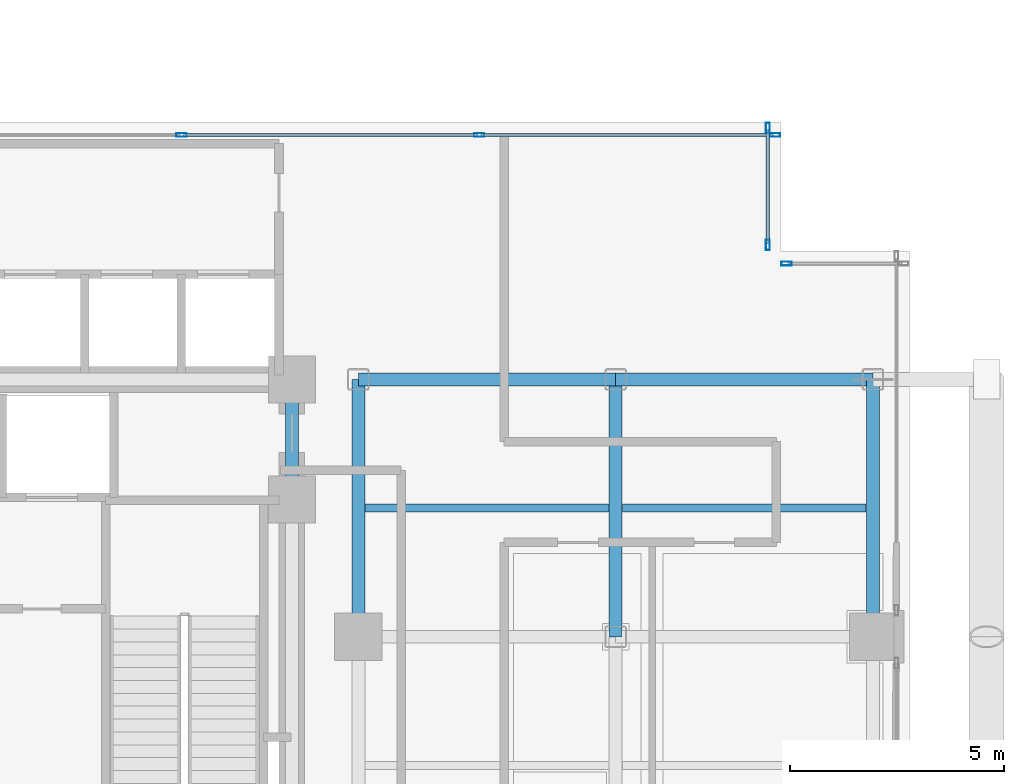
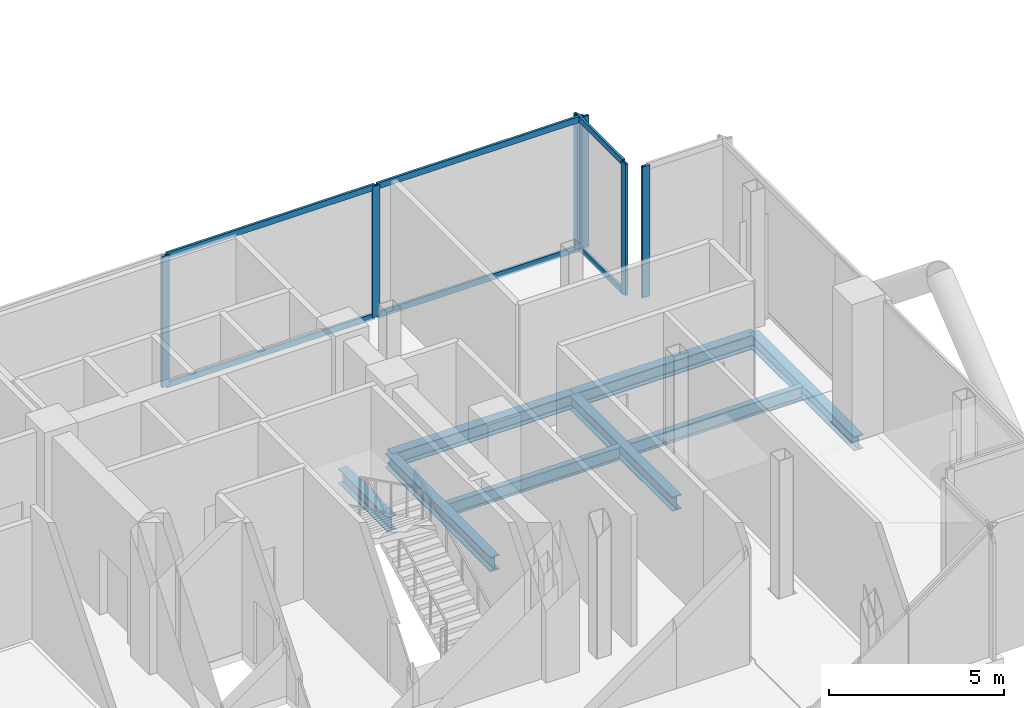
# One storey, part 10 of 25: 12 members, 8 beams, 3 elements without a shape of their own.
"""IFC4 building model written with IfcOpenShell, lengths in metres."""

from ifc_helpers import new_model, si_unit, direction, frame, origin, origin_2d, place, context, subcontext, project, spatial, hollow_rectangle, i_section, extrude, material, layer, layer_set, material_profile, profile_set, type_object, element, aggregate, save


model = new_model("IFC4")

# Units and contexts
model_context = context("Model", 3, precision=1e-05, world=origin(), true_north=direction((0.0, 1.0)))
body_context = subcontext(model_context, "Body", "Model", "MODEL_VIEW")
ifc_project = project(units=[si_unit("LENGTHUNIT", "METRE"), si_unit("AREAUNIT", "SQUARE_METRE"), si_unit("VOLUMEUNIT", "CUBIC_METRE"), si_unit("PLANEANGLEUNIT", "RADIAN"), si_unit("MASSUNIT", "GRAM", prefix="KILO"), si_unit("THERMODYNAMICTEMPERATUREUNIT", "KELVIN"), si_unit("POWERUNIT", "WATT")], contexts=[model_context])

# Site, building, storey
site_placement = place(None, origin())
site = spatial("IfcSite", under=ifc_project, at=site_placement, CompositionType="ELEMENT")
building_placement = place(site_placement, origin())
building = spatial("IfcBuilding", under=site, at=building_placement, Name="Svarakhadi Broadcast Tower", CompositionType="ELEMENT")
storey_placement = place(building_placement, frame((0.0, 0.0, 110.85009765625)))
storey = spatial("IfcBuildingStorey", under=building, at=storey_placement, Name="L26", CompositionType="ELEMENT", Elevation=110.85009765625)

# Beams
ifc_material_1 = material(Name="Steel S355J2 (IS 2062 E350C)", Category="steel")
ifc_material_profile_1 = material_profile(ifc_material_1, i_section(OverallWidth=0.18994140625, OverallDepth=0.449951171875, WebThickness=0.009521484375, FlangeThickness=0.0146484375, FilletRadius=0.02099609375, at=origin_2d()), Name="NPB 450x190x78")
ifc_profile_set_1 = profile_set([ifc_material_profile_1], Name="Steel S355J2 (IS 2062 E350C)")
beam_type_1 = type_object("IfcBeamType", Name="Beam_NPB450", PredefinedType="BEAM", material=ifc_profile_set_1)
for number, where, z_axis, x_axis, name in (
    (1, (35.31005859375, 15.0, -0.5), (1.0, 0.0, 0.0), (0.0, 1.0, 0.0), "L26 Secondary Composite Beam SB021"),
    (2, (41.31005859375, 15.0, -0.5), (1.0, 0.0, 0.0), (0.0, 1.0, 0.0), "L26 Secondary Composite Beam SB023"),
):
    element("IfcBeam", number, at=place(storey_placement, frame(where, z_axis=z_axis, x_axis=x_axis)), inside=storey, type_object=beam_type_1, Name=name, PredefinedType="BEAM", context=body_context, shape_type="SweptSolid", body=[
        extrude(i_section(OverallWidth=0.18994140625, OverallDepth=0.449951171875, WebThickness=0.009521484375, FlangeThickness=0.0146484375, FilletRadius=0.02099609375, at=origin_2d()), origin(), (0.0, 0.0, 1.0), 5.679931640625),
    ])

# Curtain wall, members
ifc_material_2 = material(Name="Anodised Bronze Aluminium AA 6063-T6", Category="aluminium")
ifc_layer = layer(ifc_material_2, 0.239990234375)
ifc_layer_set = layer_set([ifc_layer], Name="Anodised Bronze Aluminium AA 6063-T6")
curtain_wall_type = type_object("IfcCurtainWallType", Name="CW_Sys_06", PredefinedType="NOTDEFINED", material=ifc_layer_set)
curtain_wall_1_placement = place(storey_placement, origin())
curtain_wall_1 = element("IfcCurtainWall", 3, at=curtain_wall_1_placement, inside=storey, type_object=curtain_wall_type, Name="L26 Unitised Facade Curtain Wall 10", PredefinedType="NOTDEFINED")
ifc_material_profile_2 = material_profile(ifc_material_2, hollow_rectangle(XDim=0.090087890625, YDim=0.239990234375, WallThickness=0.006103515625, at=origin_2d()), Name="ALU MULLION 240x90x6")
ifc_profile_set_2 = profile_set([ifc_material_profile_2], Name="Anodised Bronze Aluminium AA 6063-T6")
member_type_1 = type_object("IfcMemberType", Name="CW_Sys_06_Mul", PredefinedType="MULLION", material=ifc_profile_set_2)
member_1_placement = place(storey_placement, frame((31.030029296875, 23.699951171875, 0.0), z_axis=(0.0, 0.0, 1.0), x_axis=(0.0, 1.0, 0.0)))
member_1 = element("IfcMember", 4, at=member_1_placement, type_object=member_type_1, Name="CW-06 mullion 2", PredefinedType="MULLION", context=body_context, shape_type="SweptSolid", body=[
    extrude(hollow_rectangle(XDim=0.090087890625, YDim=0.239990234375, WallThickness=0.006103515625, at=origin_2d()), origin(), (0.0, 0.0, 1.0), 4.574951171875),
])
member_2_placement = place(storey_placement, frame((37.969970703125, 23.699951171875, 0.0), z_axis=(0.0, 0.0, 1.0), x_axis=(0.0, 1.0, 0.0)))
member_2 = element("IfcMember", 5, at=member_2_placement, type_object=member_type_1, Name="CW-06 mullion 3", PredefinedType="MULLION", context=body_context, shape_type="SweptSolid", body=[
    extrude(hollow_rectangle(XDim=0.090087890625, YDim=0.239990234375, WallThickness=0.006103515625, at=origin_2d()), origin(), (0.0, 0.0, 1.0), 4.574951171875),
])
member_3_placement = place(storey_placement, frame((44.864990234375, 23.699951171875, 0.0), z_axis=(0.0, 0.0, 1.0), x_axis=(0.0, 1.0, 0.0)))
member_3 = element("IfcMember", 6, at=member_3_placement, type_object=member_type_1, Name="CW-06 mullion 4", PredefinedType="MULLION", context=body_context, shape_type="SweptSolid", body=[
    extrude(hollow_rectangle(XDim=0.090087890625, YDim=0.239990234375, WallThickness=0.006103515625, at=origin_2d()), origin(), (0.0, 0.0, 1.0), 4.574951171875),
])

curtain_wall_2_placement = place(storey_placement, origin())
curtain_wall_2 = element("IfcCurtainWall", 7, at=curtain_wall_2_placement, inside=storey, type_object=curtain_wall_type, Name="L26 Unitised Facade Curtain Wall 11", PredefinedType="NOTDEFINED")
member_4_placement = place(storey_placement, frame((44.699951171875, 23.864990234375, 0.0), z_axis=(0.0, 0.0, 1.0), x_axis=(1.0, 0.0, 0.0)))
member_4 = element("IfcMember", 8, at=member_4_placement, type_object=member_type_1, Name="CW-06 mullion 1", PredefinedType="MULLION", context=body_context, shape_type="SweptSolid", body=[
    extrude(hollow_rectangle(XDim=0.090087890625, YDim=0.239990234375, WallThickness=0.006103515625, at=origin_2d()), origin(), (0.0, 0.0, 1.0), 4.574951171875),
])
member_5_placement = place(storey_placement, frame((44.699951171875, 21.135009765625, 0.0), z_axis=(0.0, 0.0, 1.0), x_axis=(1.0, 0.0, 0.0)))
member_5 = element("IfcMember", 9, at=member_5_placement, type_object=member_type_1, Name="CW-06 mullion 2", PredefinedType="MULLION", context=body_context, shape_type="SweptSolid", body=[
    extrude(hollow_rectangle(XDim=0.090087890625, YDim=0.239990234375, WallThickness=0.006103515625, at=origin_2d()), origin(), (0.0, 0.0, 1.0), 4.574951171875),
])

# Curtain wall, member
curtain_wall_3_placement = place(storey_placement, origin())
curtain_wall_3 = element("IfcCurtainWall", 10, at=curtain_wall_3_placement, inside=storey, type_object=curtain_wall_type, Name="L26 Unitised Facade Curtain Wall 12", PredefinedType="NOTDEFINED")
member_6_placement = place(storey_placement, frame((45.135009765625, 20.699951171875, 0.0), z_axis=(0.0, 0.0, 1.0), x_axis=(0.0, 1.0, 0.0)))
member_6 = element("IfcMember", 11, at=member_6_placement, type_object=member_type_1, Name="CW-06 mullion 1", PredefinedType="MULLION", context=body_context, shape_type="SweptSolid", body=[
    extrude(hollow_rectangle(XDim=0.090087890625, YDim=0.239990234375, WallThickness=0.006103515625, at=origin_2d()), origin(), (0.0, 0.0, 1.0), 4.574951171875),
])
aggregate(curtain_wall_3, [member_6])

# Member
ifc_material_profile_3 = material_profile(ifc_material_2, hollow_rectangle(XDim=0.080078125, YDim=0.2099609375, WallThickness=0.0048828125, at=origin_2d()), Name="ALU TRANSOM 210x80x5")
ifc_profile_set_3 = profile_set([ifc_material_profile_3], Name="Anodised Bronze Aluminium AA 6063-T6")
member_type_2 = type_object("IfcMemberType", Name="CW_Sys_06_Trn", PredefinedType="USERDEFINED", material=ifc_profile_set_3)
member_7_placement = place(storey_placement, frame((31.074951171875, 23.699951171875, 0.039794921875), z_axis=(1.0, 0.0, 0.0), x_axis=(0.0, 1.0, 0.0)))
member_7 = element("IfcMember", 12, at=member_7_placement, type_object=member_type_2, Name="CW-06 transom 2.1", ObjectType="TRANSOM", PredefinedType="USERDEFINED", context=body_context, shape_type="SweptSolid", body=[
    extrude(hollow_rectangle(XDim=0.080078125, YDim=0.2099609375, WallThickness=0.0048828125, at=origin_2d()), origin(), (0.0, 0.0, 1.0), 6.85009765625),
])

member_8_placement = place(storey_placement, frame((31.074951171875, 23.699951171875, 4.534912109375), z_axis=(1.0, 0.0, 0.0), x_axis=(0.0, 1.0, 0.0)))
member_8 = element("IfcMember", 13, at=member_8_placement, type_object=member_type_2, Name="CW-06 transom 2.2", ObjectType="TRANSOM", PredefinedType="USERDEFINED", context=body_context, shape_type="SweptSolid", body=[
    extrude(hollow_rectangle(XDim=0.080078125, YDim=0.2099609375, WallThickness=0.0048828125, at=origin_2d()), origin(), (0.0, 0.0, 1.0), 6.85009765625),
])

member_9_placement = place(storey_placement, frame((38.014892578125, 23.699951171875, 0.039794921875), z_axis=(1.0, 0.0, 0.0), x_axis=(0.0, 1.0, 0.0)))
member_9 = element("IfcMember", 14, at=member_9_placement, type_object=member_type_2, Name="CW-06 transom 3.1", ObjectType="TRANSOM", PredefinedType="USERDEFINED", context=body_context, shape_type="SweptSolid", body=[
    extrude(hollow_rectangle(XDim=0.080078125, YDim=0.2099609375, WallThickness=0.0048828125, at=origin_2d()), origin(), (0.0, 0.0, 1.0), 6.80517578125),
])

member_10_placement = place(storey_placement, frame((38.014892578125, 23.699951171875, 4.534912109375), z_axis=(1.0, 0.0, 0.0), x_axis=(0.0, 1.0, 0.0)))
member_10 = element("IfcMember", 15, at=member_10_placement, type_object=member_type_2, Name="CW-06 transom 3.2", ObjectType="TRANSOM", PredefinedType="USERDEFINED", context=body_context, shape_type="SweptSolid", body=[
    extrude(hollow_rectangle(XDim=0.080078125, YDim=0.2099609375, WallThickness=0.0048828125, at=origin_2d()), origin(), (0.0, 0.0, 1.0), 6.80517578125),
])

aggregate(curtain_wall_1, [member_1, member_2, member_3, member_7, member_8, member_9, member_10])

member_11_placement = place(storey_placement, frame((44.699951171875, 23.820068359375, 0.039794921875), z_axis=(0.0, -1.0, 0.0), x_axis=(1.0, 0.0, 0.0)))
member_11 = element("IfcMember", 16, at=member_11_placement, type_object=member_type_2, Name="CW-06 transom 1.1", ObjectType="TRANSOM", PredefinedType="USERDEFINED", context=body_context, shape_type="SweptSolid", body=[
    extrude(hollow_rectangle(XDim=0.080078125, YDim=0.2099609375, WallThickness=0.0048828125, at=origin_2d()), origin(), (0.0, 0.0, 1.0), 2.64013671875),
])

member_12_placement = place(storey_placement, frame((44.699951171875, 23.820068359375, 4.534912109375), z_axis=(0.0, -1.0, 0.0), x_axis=(1.0, 0.0, 0.0)))
member_12 = element("IfcMember", 17, at=member_12_placement, type_object=member_type_2, Name="CW-06 transom 1.2", ObjectType="TRANSOM", PredefinedType="USERDEFINED", context=body_context, shape_type="SweptSolid", body=[
    extrude(hollow_rectangle(XDim=0.080078125, YDim=0.2099609375, WallThickness=0.0048828125, at=origin_2d()), origin(), (0.0, 0.0, 1.0), 2.64013671875),
])

aggregate(curtain_wall_2, [member_4, member_5, member_11, member_12])

# Beams
ifc_material_profile_4 = material_profile(ifc_material_1, i_section(OverallWidth=0.300048828125, OverallDepth=0.5, WebThickness=0.014404296875, FlangeThickness=0.028076171875, FilletRadius=0.027099609375, at=origin_2d()), Name="WPB 500x300x187")
ifc_profile_set_4 = profile_set([ifc_material_profile_4], Name="Steel S355J2 (IS 2062 E350C)")
beam_type_2 = type_object("IfcBeamType", Name="Girder_WPB500", PredefinedType="USERDEFINED", material=ifc_profile_set_4)
for number, where, z_axis, x_axis, name in (
    (18, (35.14990234375, 18.0, -0.525146484375), (1.0, 0.0, 0.0), (0.0, 1.0, 0.0), "L26 Primary E-W Girder G028"),
    (19, (41.14990234375, 18.0, -0.525146484375), (1.0, 0.0, 0.0), (0.0, 1.0, 0.0), "L26 Primary E-W Girder G029"),
):
    element("IfcBeam", number, at=place(storey_placement, frame(where, z_axis=z_axis, x_axis=x_axis)), inside=storey, type_object=beam_type_2, Name=name, ObjectType="GIRDER", PredefinedType="USERDEFINED", context=body_context, shape_type="SweptSolid", body=[
        extrude(i_section(OverallWidth=0.300048828125, OverallDepth=0.5, WebThickness=0.014404296875, FlangeThickness=0.028076171875, FilletRadius=0.027099609375, at=origin_2d()), origin(), (0.0, 0.0, 1.0), 6.0),
    ])
beam_placement = place(storey_placement, frame((33.60009765625, 15.199951171875, -0.525146484375), z_axis=(0.0, 1.0, 0.0), x_axis=(-1.0, 0.0, 0.0)))
element("IfcBeam", 20, at=beam_placement, inside=storey, type_object=beam_type_2, Name="L26 Primary N-S Girder G066", ObjectType="GIRDER", PredefinedType="USERDEFINED", context=body_context, shape_type="SweptSolid", body=[
    extrude(i_section(OverallWidth=0.300048828125, OverallDepth=0.5, WebThickness=0.014404296875, FlangeThickness=0.028076171875, FilletRadius=0.027099609375, at=origin_2d()), origin(), (0.0, 0.0, 1.0), 2.800048828125),
])
for number, where, z_axis, x_axis, name in (
    (21, (35.14990234375, 12.0, -0.525146484375), (0.0, 1.0, 0.0), (-1.0, 0.0, 0.0), "L26 Primary N-S Girder G069"),
    (22, (41.14990234375, 12.0, -0.525146484375), (0.0, 1.0, 0.0), (-1.0, 0.0, 0.0), "L26 Primary N-S Girder G072"),
    (23, (47.14990234375, 12.0, -0.525146484375), (0.0, 1.0, 0.0), (-1.0, 0.0, 0.0), "L26 Primary N-S Girder G074"),
):
    element("IfcBeam", number, at=place(storey_placement, frame(where, z_axis=z_axis, x_axis=x_axis)), inside=storey, type_object=beam_type_2, Name=name, ObjectType="GIRDER", PredefinedType="USERDEFINED", context=body_context, shape_type="SweptSolid", body=[
        extrude(i_section(OverallWidth=0.300048828125, OverallDepth=0.5, WebThickness=0.014404296875, FlangeThickness=0.028076171875, FilletRadius=0.027099609375, at=origin_2d()), origin(), (0.0, 0.0, 1.0), 6.0),
    ])

save(model, "model.ifc")
